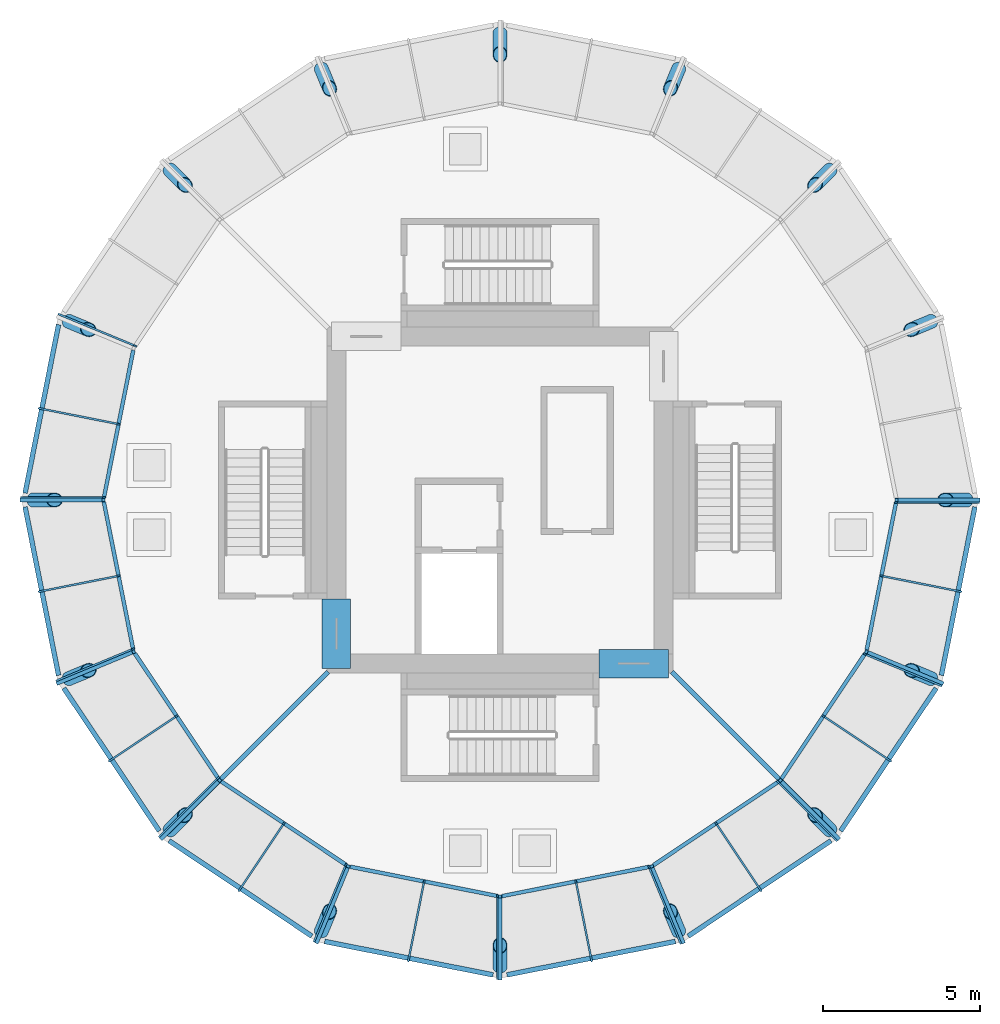
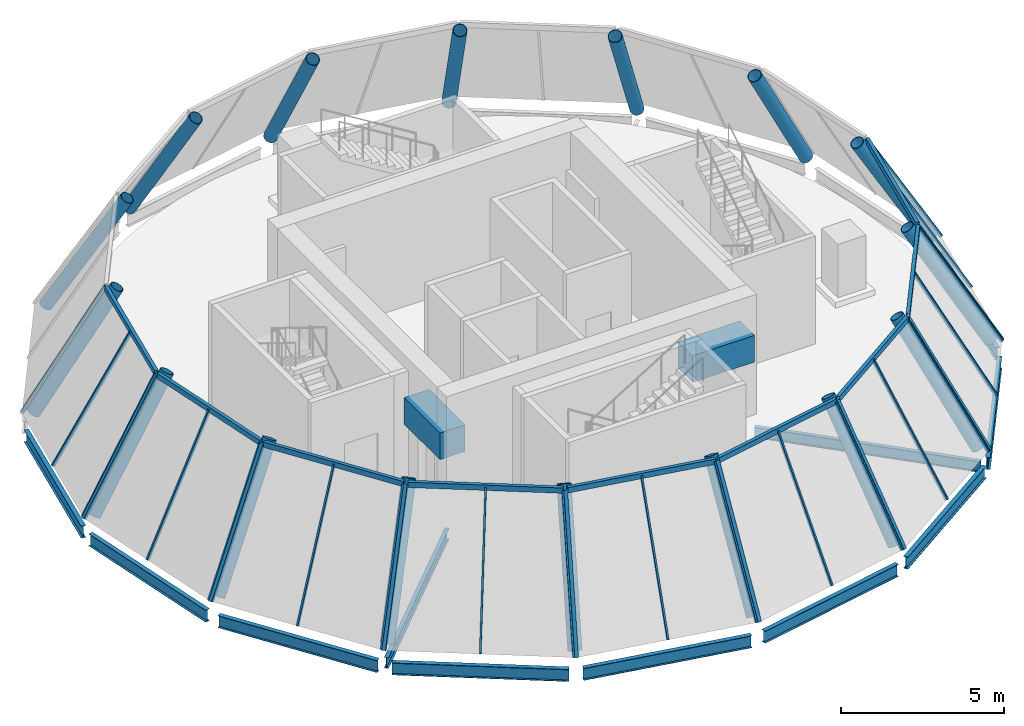
# One storey, part 1 of 6: 37 members, 16 columns, 13 beams, 11 elements without a shape of their own.
"""IFC4 building model written with IfcOpenShell, lengths in metres."""

from ifc_helpers import new_model, si_unit, direction, frame, origin, origin_2d, place, context, subcontext, project, spatial, rectangle, hollow_rectangle, hollow_circle, i_section, extrude, material, material_profile, profile_set, type_object, element, aggregate, save


model = new_model("IFC4")

# Units and contexts
model_context = context("Model", 3, precision=1e-05, world=origin(), true_north=direction((0.0, 1.0)))
body_context = subcontext(model_context, "Body", "Model", "MODEL_VIEW")
ifc_project = project(units=[si_unit("LENGTHUNIT", "METRE"), si_unit("AREAUNIT", "SQUARE_METRE"), si_unit("VOLUMEUNIT", "CUBIC_METRE"), si_unit("PLANEANGLEUNIT", "RADIAN"), si_unit("MASSUNIT", "GRAM", prefix="KILO")], contexts=[model_context])

# Site, building, storey
site_placement = place(None, origin())
site = spatial("IfcSite", under=ifc_project, at=site_placement, CompositionType="ELEMENT")
building_placement = place(site_placement, origin())
building = spatial("IfcBuilding", under=site, at=building_placement, Name="Corvane Civic Tower", CompositionType="ELEMENT")
storey_placement = place(building_placement, frame((0.0, 0.0, 397.5)))
storey = spatial("IfcBuildingStorey", under=building, at=storey_placement, Name="L94", CompositionType="ELEMENT", Elevation=397.5)

# Columns
ifc_material_1 = material(Name="Steel ASTM A572 Gr 50", Category="steel")
ifc_material_profile_1 = material_profile(ifc_material_1, hollow_circle(Radius=0.22509765625, WallThickness=0.02001953125, at=origin_2d()), Name="CHS450X20")
ifc_profile_set_1 = profile_set([ifc_material_profile_1], Name="Steel ASTM A572 Gr 50")
column_type = type_object("IfcColumnType", Name="CROWN RIB CHS450X20", PredefinedType="COLUMN", material=ifc_profile_set_1)
for number, where, z_axis, x_axis, name in (
    (1, (0.0, 14.840576171875, 0.01611328125), (0.0, -0.500261866175, 0.865874162481), (1.0, 0.0, 0.0), "Crown rib CR-1"),
    (2, (5.67919921875, 13.7109375, 0.01611328125), (-0.191443463908, -0.462202592272, 0.865862670303), (0.923884563048, -0.38267128735, 0.0), "Crown rib CR-3"),
    (3, (10.493896484375, 10.493896484375, 0.01611328125), (-0.353756133704, -0.353756133704, 0.865859801431), (0.707106781187, -0.707106781187, 0.0), "Crown rib CR-5"),
    (4, (13.7109375, 5.67919921875, 0.01611328125), (-0.462202592272, -0.191443463908, 0.865862670303), (0.38267128735, -0.923884563048, 0.0), "Crown rib CR-7"),
    (5, (14.840576171875, 0.0, 0.01611328125), (-0.500261866175, 0.0, 0.865874162481), (0.0, -1.0, 0.0), "Crown rib CR-9"),
    (6, (13.7109375, -5.67919921875, 0.01611328125), (-0.462202592272, 0.191443463908, 0.865862670303), (-0.38267128735, -0.923884563048, 0.0), "Crown rib CR-11"),
    (7, (10.493896484375, -10.493896484375, 0.01611328125), (-0.353756133704, 0.353756133704, 0.865859801431), (-0.707106781187, -0.707106781187, 0.0), "Crown rib CR-13"),
    (8, (5.67919921875, -13.7109375, 0.01611328125), (-0.191443463908, 0.462202592272, 0.865862670303), (-0.923884563048, -0.38267128735, 0.0), "Crown rib CR-15"),
    (9, (0.0, -14.840576171875, 0.01611328125), (0.0, 0.500261866175, 0.865874162481), (-1.0, 0.0, 0.0), "Crown rib CR-17"),
    (10, (-5.67919921875, -13.7109375, 0.01611328125), (0.191443463908, 0.462202592272, 0.865862670303), (-0.923884563048, 0.38267128735, 0.0), "Crown rib CR-19"),
    (11, (-10.493896484375, -10.493896484375, 0.01611328125), (0.353756133704, 0.353756133704, 0.865859801431), (-0.707106781187, 0.707106781187, 0.0), "Crown rib CR-21"),
    (12, (-13.7109375, -5.67919921875, 0.01611328125), (0.462202592272, 0.191443463908, 0.865862670303), (-0.38267128735, 0.923884563048, 0.0), "Crown rib CR-23"),
    (13, (-14.840576171875, 0.0, 0.01611328125), (0.500261866175, 0.0, 0.865874162481), (0.0, 1.0, 0.0), "Crown rib CR-25"),
    (14, (-13.7109375, 5.67919921875, 0.01611328125), (0.462202592272, -0.191443463908, 0.865862670303), (0.38267128735, 0.923884563048, 0.0), "Crown rib CR-27"),
    (15, (-10.493896484375, 10.493896484375, 0.01611328125), (0.353756133704, -0.353756133704, 0.865859801431), (0.707106781187, 0.707106781187, 0.0), "Crown rib CR-29"),
    (16, (-5.67919921875, 13.7109375, 0.01611328125), (0.191443463908, -0.462202592272, 0.865862670303), (0.923884563048, 0.38267128735, 0.0), "Crown rib CR-31"),
):
    element("IfcColumn", number, at=place(storey_placement, frame(where, z_axis=z_axis, x_axis=x_axis)), inside=storey, type_object=column_type, Name=name, PredefinedType="COLUMN", context=body_context, shape_type="SweptSolid", body=[
        extrude(hollow_circle(Radius=0.22509765625, WallThickness=0.02001953125, at=origin_2d()), origin(), (0.0, 0.0, 1.0), 5.171142578125),
    ])

# Beams
ifc_material_2 = material(Name="Concrete C40/50", Category="concrete")
ifc_material_profile_2 = material_profile(ifc_material_2, rectangle(XDim=0.89990234375, YDim=1.0, at=origin_2d()), Name="COUPLING BEAM 900X1000")
ifc_profile_set_2 = profile_set([ifc_material_profile_2], Name="Concrete C40/50")
beam_type_1 = type_object("IfcBeamType", Name="COUPLING BEAM COUPLING BEAM 900X1000", PredefinedType="BEAM", material=ifc_profile_set_2)
for number, where, z_axis, x_axis, name in (
    (17, (-5.199951171875, -5.35009765625, 2.60009765625), (0.0, 1.0, 0.0), (-1.0, 0.0, 0.0), "BM-L94-cpl-CW-W"),
    (18, (3.14990234375, -5.199951171875, 2.60009765625), (1.0, 0.0, 0.0), (0.0, 1.0, 0.0), "BM-L94-cpl-CW-S"),
):
    element("IfcBeam", number, at=place(storey_placement, frame(where, z_axis=z_axis, x_axis=x_axis)), inside=storey, type_object=beam_type_1, Name=name, PredefinedType="BEAM", context=body_context, shape_type="SweptSolid", body=[
        extrude(rectangle(XDim=0.89990234375, YDim=1.0, at=origin_2d()), origin(), (0.0, 0.0, 1.0), 2.2001953125),
    ])

# Curtain wall, member
ifc_material_3 = material(Name="Aluminium and glass", Category="aluminium")
curtain_wall_type = type_object("IfcCurtainWallType", Name="CROWN-CW-K-FACET", PredefinedType="NOTDEFINED", material=ifc_material_3)
curtain_wall_1_placement = place(storey_placement, origin())
curtain_wall_1 = element("IfcCurtainWall", 19, at=curtain_wall_1_placement, inside=storey, type_object=curtain_wall_type, Name="Glass cone facet 3 row 3", PredefinedType="NOTDEFINED")
ifc_material_4 = material(Name="Steel ASTM A500 Gr C", Category="steel")
ifc_material_profile_3 = material_profile(ifc_material_4, hollow_rectangle(XDim=0.06005859375, YDim=0.1201171875, WallThickness=0.0048828125, at=origin_2d()), Name="RHS 120x60x5")
ifc_profile_set_3 = profile_set([ifc_material_profile_3], Name="Steel ASTM A500 Gr C")
member_type_1 = type_object("IfcMemberType", Name="CROWN-CWK-MULLION-RHS120x60x5", PredefinedType="MULLION", material=ifc_profile_set_3)
member_1_placement = place(storey_placement, frame((-13.992919921875, 5.8916015625, 0.0), z_axis=(0.462195785482, -0.191473729203, 0.865859611547), x_axis=(0.382727733882, 0.923861180978, 0.0)))
member_1 = element("IfcMember", 20, at=member_1_placement, type_object=member_type_1, Name="Cone mullion 3.3J", PredefinedType="MULLION", context=body_context, shape_type="SweptSolid", body=[
    extrude(hollow_rectangle(XDim=0.06005859375, YDim=0.1201171875, WallThickness=0.0048828125, at=origin_2d()), origin(), (0.0, 0.0, 1.0), 5.197265625),
])
aggregate(curtain_wall_1, [member_1])

# Curtain wall, members
curtain_wall_2_placement = place(storey_placement, origin())
curtain_wall_2 = element("IfcCurtainWall", 21, at=curtain_wall_2_placement, inside=storey, type_object=curtain_wall_type, Name="Glass cone facet 4 row 3", PredefinedType="NOTDEFINED")
member_2_placement = place(storey_placement, frame((-14.62158203125, 2.908447265625, 0.0), z_axis=(0.483534932742, -0.096197207431, 0.87002302619), x_axis=(0.195121792539, 0.980779020002, 0.0)))
member_2 = element("IfcMember", 22, at=member_2_placement, type_object=member_type_1, Name="Cone mullion 4.3M", PredefinedType="MULLION", context=body_context, shape_type="SweptSolid", body=[
    extrude(hollow_rectangle(XDim=0.06005859375, YDim=0.1201171875, WallThickness=0.0048828125, at=origin_2d()), origin(), (0.0, 0.0, 1.0), 5.17236328125),
])
member_3_placement = place(storey_placement, frame((-15.182373046875, 0.08837890625, 0.0), z_axis=(0.50025646597, 0.0, 0.865877282445), x_axis=(0.0, 1.0, 0.0)))
member_3 = element("IfcMember", 23, at=member_3_placement, type_object=member_type_1, Name="Cone mullion 4.3J", PredefinedType="MULLION", context=body_context, shape_type="SweptSolid", body=[
    extrude(hollow_rectangle(XDim=0.06005859375, YDim=0.1201171875, WallThickness=0.0048828125, at=origin_2d()), origin(), (0.0, 0.0, 1.0), 5.197021484375),
])

curtain_wall_3_placement = place(storey_placement, origin())
curtain_wall_3 = element("IfcCurtainWall", 24, at=curtain_wall_3_placement, inside=storey, type_object=curtain_wall_type, Name="Glass cone facet 5 row 3", PredefinedType="NOTDEFINED")
member_4_placement = place(storey_placement, frame((-14.62158203125, -2.908447265625, 0.0), z_axis=(0.483534932742, 0.096197207431, 0.87002302619), x_axis=(-0.195121792539, 0.980779020002, 0.0)))
member_4 = element("IfcMember", 25, at=member_4_placement, type_object=member_type_1, Name="Cone mullion 5.3M", PredefinedType="MULLION", context=body_context, shape_type="SweptSolid", body=[
    extrude(hollow_rectangle(XDim=0.06005859375, YDim=0.1201171875, WallThickness=0.0048828125, at=origin_2d()), origin(), (0.0, 0.0, 1.0), 5.17236328125),
])
member_5_placement = place(storey_placement, frame((-14.060546875, -5.728515625, 0.0), z_axis=(0.462195785482, 0.191473729203, 0.865859611547), x_axis=(-0.382727733882, 0.923861180978, 0.0)))
member_5 = element("IfcMember", 26, at=member_5_placement, type_object=member_type_1, Name="Cone mullion 5.3J", PredefinedType="MULLION", context=body_context, shape_type="SweptSolid", body=[
    extrude(hollow_rectangle(XDim=0.06005859375, YDim=0.1201171875, WallThickness=0.0048828125, at=origin_2d()), origin(), (0.0, 0.0, 1.0), 5.197265625),
])

curtain_wall_4_placement = place(storey_placement, origin())
curtain_wall_4 = element("IfcCurtainWall", 27, at=curtain_wall_4_placement, inside=storey, type_object=curtain_wall_type, Name="Glass cone facet 6 row 3", PredefinedType="NOTDEFINED")
member_6_placement = place(storey_placement, frame((-12.3955078125, -8.282470703125, 0.0), z_axis=(0.409937024683, 0.273952157888, 0.870001063783), x_axis=(-0.555627713963, 0.83143120189, 0.0)))
member_6 = element("IfcMember", 28, at=member_6_placement, type_object=member_type_1, Name="Cone mullion 6.3M", PredefinedType="MULLION", context=body_context, shape_type="SweptSolid", body=[
    extrude(hollow_rectangle(XDim=0.06005859375, YDim=0.1201171875, WallThickness=0.0048828125, at=origin_2d()), origin(), (0.0, 0.0, 1.0), 5.17236328125),
])
member_7_placement = place(storey_placement, frame((-10.798095703125, -10.673095703125, 0.0), z_axis=(0.353776537499, 0.353729561461, 0.865862320963), x_axis=(-0.707059830104, 0.707153729152, 0.0)))
member_7 = element("IfcMember", 29, at=member_7_placement, type_object=member_type_1, Name="Cone mullion 6.3J", PredefinedType="MULLION", context=body_context, shape_type="SweptSolid", body=[
    extrude(hollow_rectangle(XDim=0.06005859375, YDim=0.1201171875, WallThickness=0.0048828125, at=origin_2d()), origin(), (0.0, 0.0, 1.0), 5.197021484375),
])

curtain_wall_5_placement = place(storey_placement, origin())
curtain_wall_5 = element("IfcCurtainWall", 30, at=curtain_wall_5_placement, inside=storey, type_object=curtain_wall_type, Name="Glass cone facet 7 row 3", PredefinedType="NOTDEFINED")
member_8_placement = place(storey_placement, frame((-8.282470703125, -12.3955078125, 0.0), z_axis=(0.273952157888, 0.409937024683, 0.870001063783), x_axis=(-0.83143120189, 0.555627713963, 0.0)))
member_8 = element("IfcMember", 31, at=member_8_placement, type_object=member_type_1, Name="Cone mullion 7.3M", PredefinedType="MULLION", context=body_context, shape_type="SweptSolid", body=[
    extrude(hollow_rectangle(XDim=0.06005859375, YDim=0.1201171875, WallThickness=0.0048828125, at=origin_2d()), origin(), (0.0, 0.0, 1.0), 5.17236328125),
])
member_9_placement = place(storey_placement, frame((-5.8916015625, -13.992919921875, 0.0), z_axis=(0.191473729203, 0.462195785482, 0.865859611547), x_axis=(-0.923861180978, 0.382727733882, 0.0)))
member_9 = element("IfcMember", 32, at=member_9_placement, type_object=member_type_1, Name="Cone mullion 7.3J", PredefinedType="MULLION", context=body_context, shape_type="SweptSolid", body=[
    extrude(hollow_rectangle(XDim=0.06005859375, YDim=0.1201171875, WallThickness=0.0048828125, at=origin_2d()), origin(), (0.0, 0.0, 1.0), 5.197265625),
])

curtain_wall_6_placement = place(storey_placement, origin())
curtain_wall_6 = element("IfcCurtainWall", 33, at=curtain_wall_6_placement, inside=storey, type_object=curtain_wall_type, Name="Glass cone facet 8 row 3", PredefinedType="NOTDEFINED")
member_10_placement = place(storey_placement, frame((-2.908447265625, -14.62158203125, 0.0), z_axis=(0.096197207431, 0.483534932742, 0.87002302619), x_axis=(-0.980779020002, 0.195121792539, 0.0)))
member_10 = element("IfcMember", 34, at=member_10_placement, type_object=member_type_1, Name="Cone mullion 8.3M", PredefinedType="MULLION", context=body_context, shape_type="SweptSolid", body=[
    extrude(hollow_rectangle(XDim=0.06005859375, YDim=0.1201171875, WallThickness=0.0048828125, at=origin_2d()), origin(), (0.0, 0.0, 1.0), 5.17236328125),
])
member_11_placement = place(storey_placement, frame((-0.08837890625, -15.182373046875, 0.0), z_axis=(0.0, 0.50025646597, 0.865877282445), x_axis=(-1.0, 0.0, 0.0)))
member_11 = element("IfcMember", 35, at=member_11_placement, type_object=member_type_1, Name="Cone mullion 8.3J", PredefinedType="MULLION", context=body_context, shape_type="SweptSolid", body=[
    extrude(hollow_rectangle(XDim=0.06005859375, YDim=0.1201171875, WallThickness=0.0048828125, at=origin_2d()), origin(), (0.0, 0.0, 1.0), 5.197021484375),
])

curtain_wall_7_placement = place(storey_placement, origin())
curtain_wall_7 = element("IfcCurtainWall", 36, at=curtain_wall_7_placement, inside=storey, type_object=curtain_wall_type, Name="Glass cone facet 9 row 3", PredefinedType="NOTDEFINED")
member_12_placement = place(storey_placement, frame((2.908447265625, -14.62158203125, 0.0), z_axis=(-0.096197207431, 0.483534932742, 0.87002302619), x_axis=(-0.980779020002, -0.195121792539, 0.0)))
member_12 = element("IfcMember", 37, at=member_12_placement, type_object=member_type_1, Name="Cone mullion 9.3M", PredefinedType="MULLION", context=body_context, shape_type="SweptSolid", body=[
    extrude(hollow_rectangle(XDim=0.06005859375, YDim=0.1201171875, WallThickness=0.0048828125, at=origin_2d()), origin(), (0.0, 0.0, 1.0), 5.17236328125),
])
member_13_placement = place(storey_placement, frame((5.728515625, -14.060546875, 0.0), z_axis=(-0.191473729203, 0.462195785482, 0.865859611547), x_axis=(-0.923861180978, -0.382727733882, 0.0)))
member_13 = element("IfcMember", 38, at=member_13_placement, type_object=member_type_1, Name="Cone mullion 9.3J", PredefinedType="MULLION", context=body_context, shape_type="SweptSolid", body=[
    extrude(hollow_rectangle(XDim=0.06005859375, YDim=0.1201171875, WallThickness=0.0048828125, at=origin_2d()), origin(), (0.0, 0.0, 1.0), 5.197265625),
])

curtain_wall_8_placement = place(storey_placement, origin())
curtain_wall_8 = element("IfcCurtainWall", 39, at=curtain_wall_8_placement, inside=storey, type_object=curtain_wall_type, Name="Glass cone facet 10 row 3", PredefinedType="NOTDEFINED")
member_14_placement = place(storey_placement, frame((8.282470703125, -12.3955078125, 0.0), z_axis=(-0.273952157888, 0.409937024683, 0.870001063783), x_axis=(-0.83143120189, -0.555627713963, 0.0)))
member_14 = element("IfcMember", 40, at=member_14_placement, type_object=member_type_1, Name="Cone mullion 10.3M", PredefinedType="MULLION", context=body_context, shape_type="SweptSolid", body=[
    extrude(hollow_rectangle(XDim=0.06005859375, YDim=0.1201171875, WallThickness=0.0048828125, at=origin_2d()), origin(), (0.0, 0.0, 1.0), 5.17236328125),
])
member_15_placement = place(storey_placement, frame((10.673095703125, -10.798095703125, 0.0), z_axis=(-0.353729561461, 0.353776537499, 0.865862320963), x_axis=(-0.707153729152, -0.707059830104, 0.0)))
member_15 = element("IfcMember", 41, at=member_15_placement, type_object=member_type_1, Name="Cone mullion 10.3J", PredefinedType="MULLION", context=body_context, shape_type="SweptSolid", body=[
    extrude(hollow_rectangle(XDim=0.06005859375, YDim=0.1201171875, WallThickness=0.0048828125, at=origin_2d()), origin(), (0.0, 0.0, 1.0), 5.197021484375),
])

curtain_wall_9_placement = place(storey_placement, origin())
curtain_wall_9 = element("IfcCurtainWall", 42, at=curtain_wall_9_placement, inside=storey, type_object=curtain_wall_type, Name="Glass cone facet 11 row 3", PredefinedType="NOTDEFINED")
member_16_placement = place(storey_placement, frame((12.3955078125, -8.282470703125, 0.0), z_axis=(-0.409937024683, 0.273952157888, 0.870001063783), x_axis=(-0.555627713963, -0.83143120189, 0.0)))
member_16 = element("IfcMember", 43, at=member_16_placement, type_object=member_type_1, Name="Cone mullion 11.3M", PredefinedType="MULLION", context=body_context, shape_type="SweptSolid", body=[
    extrude(hollow_rectangle(XDim=0.06005859375, YDim=0.1201171875, WallThickness=0.0048828125, at=origin_2d()), origin(), (0.0, 0.0, 1.0), 5.17236328125),
])
member_17_placement = place(storey_placement, frame((13.992919921875, -5.8916015625, 0.0), z_axis=(-0.462195785482, 0.191473729203, 0.865859611547), x_axis=(-0.382727733882, -0.923861180978, 0.0)))
member_17 = element("IfcMember", 44, at=member_17_placement, type_object=member_type_1, Name="Cone mullion 11.3J", PredefinedType="MULLION", context=body_context, shape_type="SweptSolid", body=[
    extrude(hollow_rectangle(XDim=0.06005859375, YDim=0.1201171875, WallThickness=0.0048828125, at=origin_2d()), origin(), (0.0, 0.0, 1.0), 5.197265625),
])

curtain_wall_10_placement = place(storey_placement, origin())
curtain_wall_10 = element("IfcCurtainWall", 45, at=curtain_wall_10_placement, inside=storey, type_object=curtain_wall_type, Name="Glass cone facet 12 row 3", PredefinedType="NOTDEFINED")
member_18_placement = place(storey_placement, frame((14.62158203125, -2.908447265625, 0.0), z_axis=(-0.483534932742, 0.096197207431, 0.87002302619), x_axis=(-0.195121792539, -0.980779020002, 0.0)))
member_18 = element("IfcMember", 46, at=member_18_placement, type_object=member_type_1, Name="Cone mullion 12.3M", PredefinedType="MULLION", context=body_context, shape_type="SweptSolid", body=[
    extrude(hollow_rectangle(XDim=0.06005859375, YDim=0.1201171875, WallThickness=0.0048828125, at=origin_2d()), origin(), (0.0, 0.0, 1.0), 5.17236328125),
])
member_19_placement = place(storey_placement, frame((15.182373046875, -0.08837890625, 0.0), z_axis=(-0.50025646597, 0.0, 0.865877282445), x_axis=(0.0, -1.0, 0.0)))
member_19 = element("IfcMember", 47, at=member_19_placement, type_object=member_type_1, Name="Cone mullion 12.3J", PredefinedType="MULLION", context=body_context, shape_type="SweptSolid", body=[
    extrude(hollow_rectangle(XDim=0.06005859375, YDim=0.1201171875, WallThickness=0.0048828125, at=origin_2d()), origin(), (0.0, 0.0, 1.0), 5.197021484375),
])

# Member
ifc_material_5 = material(Name="Steel ASTM A500 Gr C", Category="steel")
ifc_material_profile_4 = material_profile(ifc_material_5, hollow_rectangle(XDim=0.1201171875, YDim=0.1201171875, WallThickness=0.006103515625, at=origin_2d()), Name="RHS 120x120x6")
ifc_profile_set_4 = profile_set([ifc_material_profile_4], Name="Steel ASTM A500 Gr C")
member_type_2 = type_object("IfcMemberType", Name="CROWN-CWK-RIB-RHS120x120x6", PredefinedType="MULLION", material=ifc_profile_set_4)
member_20_placement = place(storey_placement, frame((-15.199951171875, 0.0, 0.0), z_axis=(0.50025646597, 0.0, 0.865877282445), x_axis=(0.0, 1.0, 0.0)))
member_20 = element("IfcMember", 48, at=member_20_placement, type_object=member_type_2, Name="Cone rib 5.3", PredefinedType="MULLION", context=body_context, shape_type="SweptSolid", body=[
    extrude(hollow_rectangle(XDim=0.1201171875, YDim=0.1201171875, WallThickness=0.006103515625, at=origin_2d()), origin(), (0.0, 0.0, 1.0), 5.197021484375),
])

member_21_placement = place(storey_placement, frame((-14.04296875, -5.81689453125, 0.0), z_axis=(0.462195785482, 0.191473729203, 0.865859611547), x_axis=(-0.382727733882, 0.923861180978, 0.0)))
member_21 = element("IfcMember", 49, at=member_21_placement, type_object=member_type_2, Name="Cone rib 6.3", PredefinedType="MULLION", context=body_context, shape_type="SweptSolid", body=[
    extrude(hollow_rectangle(XDim=0.1201171875, YDim=0.1201171875, WallThickness=0.006103515625, at=origin_2d()), origin(), (0.0, 0.0, 1.0), 5.197265625),
])

member_22_placement = place(storey_placement, frame((-10.748046875, -10.748046875, 0.0), z_axis=(0.353770658616, 0.353770658616, 0.865847932494), x_axis=(-0.707106781187, 0.707106781187, 0.0)))
member_22 = element("IfcMember", 50, at=member_22_placement, type_object=member_type_2, Name="Cone rib 7.3", PredefinedType="MULLION", context=body_context, shape_type="SweptSolid", body=[
    extrude(hollow_rectangle(XDim=0.1201171875, YDim=0.1201171875, WallThickness=0.006103515625, at=origin_2d()), origin(), (0.0, 0.0, 1.0), 5.197265625),
])

member_23_placement = place(storey_placement, frame((-5.81689453125, -14.04296875, 0.0), z_axis=(0.191473729203, 0.462195785482, 0.865859611547), x_axis=(-0.923861180978, 0.382727733882, 0.0)))
member_23 = element("IfcMember", 51, at=member_23_placement, type_object=member_type_2, Name="Cone rib 8.3", PredefinedType="MULLION", context=body_context, shape_type="SweptSolid", body=[
    extrude(hollow_rectangle(XDim=0.1201171875, YDim=0.1201171875, WallThickness=0.006103515625, at=origin_2d()), origin(), (0.0, 0.0, 1.0), 5.197265625),
])

member_24_placement = place(storey_placement, frame((0.0, -15.199951171875, 0.0), z_axis=(0.0, 0.50025646597, 0.865877282445), x_axis=(-1.0, 0.0, 0.0)))
member_24 = element("IfcMember", 52, at=member_24_placement, type_object=member_type_2, Name="Cone rib 9.3", PredefinedType="MULLION", context=body_context, shape_type="SweptSolid", body=[
    extrude(hollow_rectangle(XDim=0.1201171875, YDim=0.1201171875, WallThickness=0.006103515625, at=origin_2d()), origin(), (0.0, 0.0, 1.0), 5.197021484375),
])

member_25_placement = place(storey_placement, frame((5.81689453125, -14.04296875, 0.0), z_axis=(-0.191473729203, 0.462195785482, 0.865859611547), x_axis=(-0.923861180978, -0.382727733882, 0.0)))
member_25 = element("IfcMember", 53, at=member_25_placement, type_object=member_type_2, Name="Cone rib 10.3", PredefinedType="MULLION", context=body_context, shape_type="SweptSolid", body=[
    extrude(hollow_rectangle(XDim=0.1201171875, YDim=0.1201171875, WallThickness=0.006103515625, at=origin_2d()), origin(), (0.0, 0.0, 1.0), 5.197265625),
])

member_26_placement = place(storey_placement, frame((10.748046875, -10.748046875, 0.0), z_axis=(-0.353770658616, 0.353770658616, 0.865847932494), x_axis=(-0.707106781187, -0.707106781187, 0.0)))
member_26 = element("IfcMember", 54, at=member_26_placement, type_object=member_type_2, Name="Cone rib 11.3", PredefinedType="MULLION", context=body_context, shape_type="SweptSolid", body=[
    extrude(hollow_rectangle(XDim=0.1201171875, YDim=0.1201171875, WallThickness=0.006103515625, at=origin_2d()), origin(), (0.0, 0.0, 1.0), 5.197265625),
])

member_27_placement = place(storey_placement, frame((14.04296875, -5.81689453125, 0.0), z_axis=(-0.462195785482, 0.191473729203, 0.865859611547), x_axis=(-0.382727733882, -0.923861180978, 0.0)))
member_27 = element("IfcMember", 55, at=member_27_placement, type_object=member_type_2, Name="Cone rib 12.3", PredefinedType="MULLION", context=body_context, shape_type="SweptSolid", body=[
    extrude(hollow_rectangle(XDim=0.1201171875, YDim=0.1201171875, WallThickness=0.006103515625, at=origin_2d()), origin(), (0.0, 0.0, 1.0), 5.197265625),
])

# Curtain wall, member
curtain_wall_11_placement = place(storey_placement, origin())
curtain_wall_11 = element("IfcCurtainWall", 56, at=curtain_wall_11_placement, inside=storey, type_object=curtain_wall_type, Name="Glass cone facet 13 row 3", PredefinedType="NOTDEFINED")
member_28_placement = place(storey_placement, frame((15.199951171875, 0.0, 0.0), z_axis=(-0.50025646597, 0.0, 0.865877282445), x_axis=(0.0, -1.0, 0.0)))
member_28 = element("IfcMember", 57, at=member_28_placement, type_object=member_type_2, Name="Cone rib 13.3", PredefinedType="MULLION", context=body_context, shape_type="SweptSolid", body=[
    extrude(hollow_rectangle(XDim=0.1201171875, YDim=0.1201171875, WallThickness=0.006103515625, at=origin_2d()), origin(), (0.0, 0.0, 1.0), 5.197021484375),
])
aggregate(curtain_wall_11, [member_28])

# Member
ifc_material_6 = material(Name="Steel ASTM A500 Gr C", Category="steel")
ifc_material_profile_5 = material_profile(ifc_material_6, hollow_rectangle(XDim=0.1201171875, YDim=0.199951171875, WallThickness=0.006103515625, at=origin_2d()), Name="RHS 200x120x6")
ifc_profile_set_5 = profile_set([ifc_material_profile_5], Name="Steel ASTM A500 Gr C")
member_type_3 = type_object("IfcMemberType", Name="CROWN-CWK-RING-RHS200x120x6", PredefinedType="USERDEFINED", material=ifc_profile_set_5)
member_29_placement = place(storey_placement, frame((-11.652587890625, 4.762939453125, 4.5), z_axis=(-0.195107778184, -0.980781807994, 0.0), x_axis=(0.980781807994, -0.195107778184, 0.0)))
member_29 = element("IfcMember", 58, at=member_29_placement, type_object=member_type_3, Name="Cone ring member 4.3", ObjectType="TRANSOM", PredefinedType="USERDEFINED", context=body_context, shape_type="SweptSolid", body=[
    extrude(hollow_rectangle(XDim=0.1201171875, YDim=0.199951171875, WallThickness=0.006103515625, at=origin_2d()), origin(), (0.0, 0.0, 1.0), 4.79638671875),
])

aggregate(curtain_wall_2, [member_29, member_2, member_3])

member_30_placement = place(storey_placement, frame((-12.58837890625, -0.058837890625, 4.5), z_axis=(0.195107778184, -0.980781807994, 0.0), x_axis=(0.980781807994, 0.195107778184, 0.0)))
member_30 = element("IfcMember", 59, at=member_30_placement, type_object=member_type_3, Name="Cone ring member 5.3", ObjectType="TRANSOM", PredefinedType="USERDEFINED", context=body_context, shape_type="SweptSolid", body=[
    extrude(hollow_rectangle(XDim=0.1201171875, YDim=0.199951171875, WallThickness=0.006103515625, at=origin_2d()), origin(), (0.0, 0.0, 1.0), 4.79638671875),
])

aggregate(curtain_wall_3, [member_20, member_30, member_4, member_5])

member_31_placement = place(storey_placement, frame((-11.607421875, -4.87158203125, 4.5), z_axis=(0.555545667856, -0.831486025695, 0.0), x_axis=(0.831486025695, 0.555545667856, 0.0)))
member_31 = element("IfcMember", 60, at=member_31_placement, type_object=member_type_3, Name="Cone ring member 6.3", ObjectType="TRANSOM", PredefinedType="USERDEFINED", context=body_context, shape_type="SweptSolid", body=[
    extrude(hollow_rectangle(XDim=0.1201171875, YDim=0.199951171875, WallThickness=0.006103515625, at=origin_2d()), origin(), (0.0, 0.0, 1.0), 4.79638671875),
])

aggregate(curtain_wall_4, [member_21, member_31, member_6, member_7])

member_32_placement = place(storey_placement, frame((-8.859619140625, -8.94287109375, 4.5), z_axis=(0.831486025695, -0.555545667856, 0.0), x_axis=(0.555545667856, 0.831486025695, 0.0)))
member_32 = element("IfcMember", 61, at=member_32_placement, type_object=member_type_3, Name="Cone ring member 7.3", ObjectType="TRANSOM", PredefinedType="USERDEFINED", context=body_context, shape_type="SweptSolid", body=[
    extrude(hollow_rectangle(XDim=0.1201171875, YDim=0.199951171875, WallThickness=0.006103515625, at=origin_2d()), origin(), (0.0, 0.0, 1.0), 4.79638671875),
])

aggregate(curtain_wall_5, [member_22, member_32, member_8, member_9])

member_33_placement = place(storey_placement, frame((-4.762939453125, -11.652587890625, 4.5), z_axis=(0.980781807994, -0.195107778184, 0.0), x_axis=(0.195107778184, 0.980781807994, 0.0)))
member_33 = element("IfcMember", 62, at=member_33_placement, type_object=member_type_3, Name="Cone ring member 8.3", ObjectType="TRANSOM", PredefinedType="USERDEFINED", context=body_context, shape_type="SweptSolid", body=[
    extrude(hollow_rectangle(XDim=0.1201171875, YDim=0.199951171875, WallThickness=0.006103515625, at=origin_2d()), origin(), (0.0, 0.0, 1.0), 4.79638671875),
])

aggregate(curtain_wall_6, [member_23, member_33, member_10, member_11])

member_34_placement = place(storey_placement, frame((0.058837890625, -12.58837890625, 4.5), z_axis=(0.980781807994, 0.195107778184, 0.0), x_axis=(-0.195107778184, 0.980781807994, 0.0)))
member_34 = element("IfcMember", 63, at=member_34_placement, type_object=member_type_3, Name="Cone ring member 9.3", ObjectType="TRANSOM", PredefinedType="USERDEFINED", context=body_context, shape_type="SweptSolid", body=[
    extrude(hollow_rectangle(XDim=0.1201171875, YDim=0.199951171875, WallThickness=0.006103515625, at=origin_2d()), origin(), (0.0, 0.0, 1.0), 4.79638671875),
])

aggregate(curtain_wall_7, [member_24, member_34, member_12, member_13])

member_35_placement = place(storey_placement, frame((4.87158203125, -11.607421875, 4.5), z_axis=(0.831486025695, 0.555545667856, 0.0), x_axis=(-0.555545667856, 0.831486025695, 0.0)))
member_35 = element("IfcMember", 64, at=member_35_placement, type_object=member_type_3, Name="Cone ring member 10.3", ObjectType="TRANSOM", PredefinedType="USERDEFINED", context=body_context, shape_type="SweptSolid", body=[
    extrude(hollow_rectangle(XDim=0.1201171875, YDim=0.199951171875, WallThickness=0.006103515625, at=origin_2d()), origin(), (0.0, 0.0, 1.0), 4.79638671875),
])

aggregate(curtain_wall_8, [member_25, member_35, member_14, member_15])

member_36_placement = place(storey_placement, frame((8.94287109375, -8.859619140625, 4.5), z_axis=(0.555545667856, 0.831486025695, 0.0), x_axis=(-0.831486025695, 0.555545667856, 0.0)))
member_36 = element("IfcMember", 65, at=member_36_placement, type_object=member_type_3, Name="Cone ring member 11.3", ObjectType="TRANSOM", PredefinedType="USERDEFINED", context=body_context, shape_type="SweptSolid", body=[
    extrude(hollow_rectangle(XDim=0.1201171875, YDim=0.199951171875, WallThickness=0.006103515625, at=origin_2d()), origin(), (0.0, 0.0, 1.0), 4.79638671875),
])

aggregate(curtain_wall_9, [member_26, member_36, member_16, member_17])

member_37_placement = place(storey_placement, frame((11.652587890625, -4.762939453125, 4.5), z_axis=(0.195107778184, 0.980781807994, 0.0), x_axis=(-0.980781807994, 0.195107778184, 0.0)))
member_37 = element("IfcMember", 66, at=member_37_placement, type_object=member_type_3, Name="Cone ring member 12.3", ObjectType="TRANSOM", PredefinedType="USERDEFINED", context=body_context, shape_type="SweptSolid", body=[
    extrude(hollow_rectangle(XDim=0.1201171875, YDim=0.199951171875, WallThickness=0.006103515625, at=origin_2d()), origin(), (0.0, 0.0, 1.0), 4.79638671875),
])

aggregate(curtain_wall_10, [member_27, member_37, member_18, member_19])

# Beams
ifc_material_7 = material(Name="Steel ASTM A992 Gr 50", Category="steel")
ifc_material_profile_6 = material_profile(ifc_material_7, i_section(OverallWidth=0.15283203125, OverallDepth=0.45458984375, WebThickness=0.008056640625, FlangeThickness=0.013427734375, at=origin_2d()), Name="W18X40")
ifc_profile_set_6 = profile_set([ifc_material_profile_6], Name="Steel ASTM A992 Gr 50")
beam_type_2 = type_object("IfcBeamType", Name="EDGE BEAM W18X40", PredefinedType="BEAM", material=ifc_profile_set_6)
beam_placement = place(storey_placement, frame((15.090576171875, -0.220703125, -0.67724609375), z_axis=(-0.195083238819, -0.980786689312, 0.0), x_axis=(0.980786689312, -0.195083238819, 0.0)))
element("IfcBeam", 67, at=beam_placement, inside=storey, type_object=beam_type_2, Name="BM-L94-E05", PredefinedType="BEAM", context=body_context, shape_type="SweptSolid", body=[
    extrude(i_section(OverallWidth=0.15283203125, OverallDepth=0.45458984375, WebThickness=0.008056640625, FlangeThickness=0.013427734375, at=origin_2d()), origin(), (0.0, 0.0, 1.0), 5.455078125),
])
for number, where, z_axis, x_axis, name in (
    (68, (13.857421875, -5.978759765625, -0.67724609375), (-0.555567420157, -0.831471491791, 0.0), (0.831471491791, -0.555567420157, 0.0), "BM-L94-E06"),
    (69, (10.5146484375, -10.82666015625, -0.67724609375), (-0.831471491791, -0.555567420157, 0.0), (0.555567420157, -0.831471491791, 0.0), "BM-L94-E07"),
):
    element("IfcBeam", number, at=place(storey_placement, frame(where, z_axis=z_axis, x_axis=x_axis)), inside=storey, type_object=beam_type_2, Name=name, PredefinedType="BEAM", context=body_context, shape_type="SweptSolid", body=[
        extrude(i_section(OverallWidth=0.15283203125, OverallDepth=0.45458984375, WebThickness=0.008056640625, FlangeThickness=0.013427734375, at=origin_2d()), origin(), (0.0, 0.0, 1.0), 5.455322265625),
    ])
for number, where, z_axis, x_axis, name in (
    (70, (5.571044921875, -14.0263671875, -0.67724609375), (-0.980786689312, -0.195083238819, 0.0), (0.195083238819, -0.980786689312, 0.0), "BM-L94-E08"),
    (71, (-0.220703125, -15.090576171875, -0.67724609375), (-0.980786689312, 0.195083238819, 0.0), (-0.195083238819, -0.980786689312, 0.0), "BM-L94-E09"),
):
    element("IfcBeam", number, at=place(storey_placement, frame(where, z_axis=z_axis, x_axis=x_axis)), inside=storey, type_object=beam_type_2, Name=name, PredefinedType="BEAM", context=body_context, shape_type="SweptSolid", body=[
        extrude(i_section(OverallWidth=0.15283203125, OverallDepth=0.45458984375, WebThickness=0.008056640625, FlangeThickness=0.013427734375, at=origin_2d()), origin(), (0.0, 0.0, 1.0), 5.455078125),
    ])
for number, where, z_axis, x_axis, name in (
    (72, (-5.978759765625, -13.857421875, -0.67724609375), (-0.831471491791, 0.555567420157, 0.0), (-0.555567420157, -0.831471491791, 0.0), "BM-L94-E10"),
    (73, (-10.82666015625, -10.5146484375, -0.67724609375), (-0.555567420157, 0.831471491791, 0.0), (-0.831471491791, -0.555567420157, 0.0), "BM-L94-E11"),
):
    element("IfcBeam", number, at=place(storey_placement, frame(where, z_axis=z_axis, x_axis=x_axis)), inside=storey, type_object=beam_type_2, Name=name, PredefinedType="BEAM", context=body_context, shape_type="SweptSolid", body=[
        extrude(i_section(OverallWidth=0.15283203125, OverallDepth=0.45458984375, WebThickness=0.008056640625, FlangeThickness=0.013427734375, at=origin_2d()), origin(), (0.0, 0.0, 1.0), 5.455322265625),
    ])
for number, where, z_axis, x_axis, name in (
    (74, (-14.0263671875, -5.571044921875, -0.67724609375), (-0.195083238819, 0.980786689312, 0.0), (-0.980786689312, -0.195083238819, 0.0), "BM-L94-E12"),
    (75, (-15.090576171875, 0.220703125, -0.67724609375), (0.195083238819, 0.980786689312, 0.0), (-0.980786689312, 0.195083238819, 0.0), "BM-L94-E13"),
):
    element("IfcBeam", number, at=place(storey_placement, frame(where, z_axis=z_axis, x_axis=x_axis)), inside=storey, type_object=beam_type_2, Name=name, PredefinedType="BEAM", context=body_context, shape_type="SweptSolid", body=[
        extrude(i_section(OverallWidth=0.15283203125, OverallDepth=0.45458984375, WebThickness=0.008056640625, FlangeThickness=0.013427734375, at=origin_2d()), origin(), (0.0, 0.0, 1.0), 5.455078125),
    ])
ifc_material_8 = material(Name="Steel ASTM A992 Gr 50", Category="steel")
ifc_material_profile_7 = material_profile(ifc_material_8, i_section(OverallWidth=0.140380859375, OverallDepth=0.40380859375, WebThickness=0.007080078125, FlangeThickness=0.01123046875, at=origin_2d()), Name="W16X31")
ifc_profile_set_7 = profile_set([ifc_material_profile_7], Name="Steel ASTM A992 Gr 50")
beam_type_3 = type_object("IfcBeamType", Name="FLOOR GIRDER W16X31", PredefinedType="BEAM", material=ifc_profile_set_7)
for number, where, z_axis, x_axis, name in (
    (76, (5.464599609375, -5.464599609375, -0.65185546875), (0.707106781187, -0.707106781187, 0.0), (0.707106781187, 0.707106781187, 0.0), "BM-L94-G13"),
    (77, (-5.464599609375, -5.464599609375, -0.65185546875), (-0.707106781187, -0.707106781187, 0.0), (0.707106781187, -0.707106781187, 0.0), "BM-L94-G21"),
):
    element("IfcBeam", number, at=place(storey_placement, frame(where, z_axis=z_axis, x_axis=x_axis)), inside=storey, type_object=beam_type_3, Name=name, PredefinedType="BEAM", context=body_context, shape_type="SweptSolid", body=[
        extrude(i_section(OverallWidth=0.140380859375, OverallDepth=0.40380859375, WebThickness=0.007080078125, FlangeThickness=0.01123046875, at=origin_2d()), origin(), (0.0, 0.0, 1.0), 7.200439453125),
    ])

save(model, "model.ifc")
